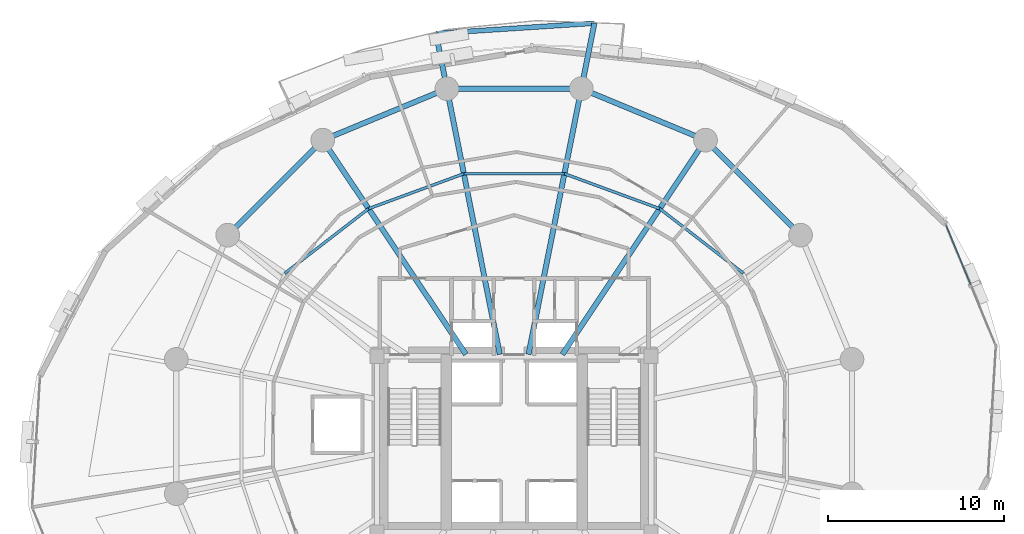
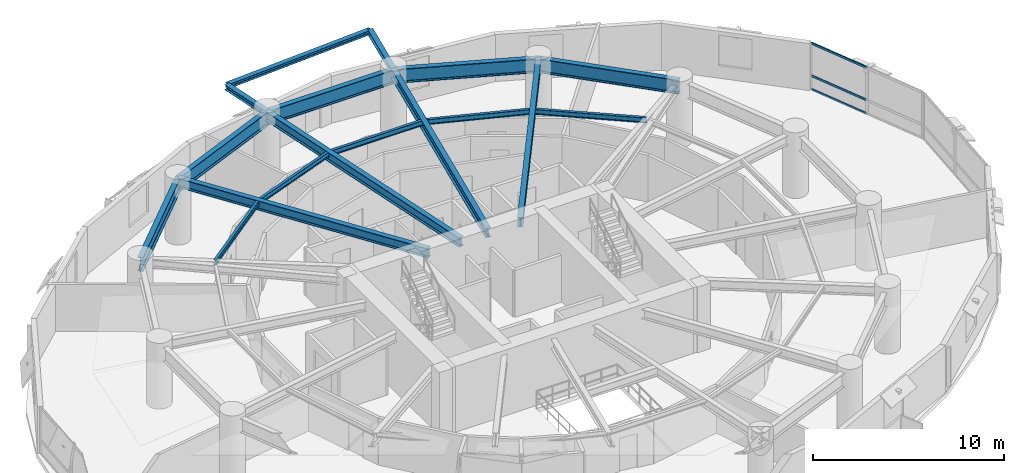
# One storey, part 9 of 17: 17 beams, 3 members, 1 element without a shape of its own.
"""IFC4 building model written with IfcOpenShell, lengths in metres."""

from ifc_helpers import new_model, si_unit, direction, frame, origin, origin_2d, place, context, subcontext, project, spatial, hollow_rectangle, i_section, extrude, material, layer, layer_set, material_profile, profile_set, type_object, element, aggregate, save


model = new_model("IFC4")

# Units and contexts
model_context = context("Model", 3, precision=1e-05, world=origin(), true_north=direction((0.0, 1.0)))
body_context = subcontext(model_context, "Body", "Model", "MODEL_VIEW")
ifc_project = project(units=[si_unit("LENGTHUNIT", "METRE"), si_unit("AREAUNIT", "SQUARE_METRE"), si_unit("VOLUMEUNIT", "CUBIC_METRE"), si_unit("PLANEANGLEUNIT", "RADIAN"), si_unit("MASSUNIT", "GRAM", prefix="KILO"), si_unit("THERMODYNAMICTEMPERATUREUNIT", "KELVIN"), si_unit("POWERUNIT", "WATT")], contexts=[model_context])

# Site, building, storey
site_placement = place(None, origin())
site = spatial("IfcSite", under=ifc_project, at=site_placement, CompositionType="ELEMENT")
building_placement = place(site_placement, origin())
building = spatial("IfcBuilding", under=site, at=building_placement, Name="Ocrelia Relay Tower", CompositionType="ELEMENT")
storey_placement = place(building_placement, frame((0.0, 0.0, 72.0)))
storey = spatial("IfcBuildingStorey", under=building, at=storey_placement, Name="L16", CompositionType="ELEMENT", Elevation=72.0)

# Beams
ifc_material_1 = material(Name="Steel S355", Category="steel")
ifc_material_profile_1 = material_profile(ifc_material_1, i_section(OverallWidth=0.280029296875, OverallDepth=0.27001953125, WebThickness=0.008056640625, FlangeThickness=0.012939453125, FilletRadius=0.02392578125, at=origin_2d()), Name="HEA 280")
ifc_profile_set_1 = profile_set([ifc_material_profile_1], Name="Steel S355")
beam_type_1 = type_object("IfcBeamType", Name="BM-HEA280", PredefinedType="BEAM", material=ifc_profile_set_1)
beam_1_placement = place(storey_placement, frame((38.5654296875, 48.951416015625, 3.784912109375), z_axis=(-0.997895910722, -0.064836342925, 0.0), x_axis=(0.064836342925, -0.997895910722, 0.0)))
element("IfcBeam", 1, at=beam_1_placement, inside=storey, type_object=beam_type_1, Name="L17 Balcony Edge Trimmer Beam B1", PredefinedType="BEAM", context=body_context, shape_type="SweptSolid", body=[
    extrude(i_section(OverallWidth=0.280029296875, OverallDepth=0.27001953125, WebThickness=0.008056640625, FlangeThickness=0.012939453125, FilletRadius=0.02392578125, at=origin_2d()), origin(), (0.0, 0.0, 1.0), 9.033447265625),
])
ifc_material_profile_2 = material_profile(ifc_material_1, i_section(OverallWidth=0.300048828125, OverallDepth=0.330078125, WebThickness=0.009521484375, FlangeThickness=0.0166015625, FilletRadius=0.027099609375, at=origin_2d()), Name="HEA 340")
ifc_profile_set_2 = profile_set([ifc_material_profile_2], Name="Steel S355")
beam_type_2 = type_object("IfcBeamType", Name="BM-HEA340", PredefinedType="BEAM", material=ifc_profile_set_2)
beam_2_placement = place(storey_placement, frame((37.82373046875, 45.223388671875, 3.7548828125), z_axis=(0.195127896118, 0.980777805701, 0.0), x_axis=(-0.980777805701, 0.195127896118, 0.0)))
element("IfcBeam", 2, at=beam_2_placement, inside=storey, type_object=beam_type_2, Name="L17 Balcony Cantilever Beam B1-1", PredefinedType="BEAM", context=body_context, shape_type="SweptSolid", body=[
    extrude(i_section(OverallWidth=0.300048828125, OverallDepth=0.330078125, WebThickness=0.009521484375, FlangeThickness=0.0166015625, FilletRadius=0.027099609375, at=origin_2d()), origin(), (0.0, 0.0, 1.0), 3.801025390625),
])
beam_3_placement = place(storey_placement, frame((30.17626953125, 45.223388671875, 3.7548828125), z_axis=(-0.195148882518, 0.980773630178, 0.0), x_axis=(-0.980773630178, -0.195148882518, 0.0)))
element("IfcBeam", 3, at=beam_3_placement, inside=storey, type_object=beam_type_2, Name="L17 Balcony Cantilever Beam B1-2", PredefinedType="BEAM", context=body_context, shape_type="SweptSolid", body=[
    extrude(i_section(OverallWidth=0.300048828125, OverallDepth=0.330078125, WebThickness=0.009521484375, FlangeThickness=0.0166015625, FilletRadius=0.027099609375, at=origin_2d()), origin(), (0.0, 0.0, 1.0), 3.203857421875),
])
ifc_material_profile_3 = material_profile(ifc_material_1, i_section(OverallWidth=0.300048828125, OverallDepth=0.60009765625, WebThickness=0.015380859375, FlangeThickness=0.030029296875, FilletRadius=0.027099609375, at=origin_2d()), Name="HEB 600")
ifc_profile_set_3 = profile_set([ifc_material_profile_3], Name="Steel S355")
beam_type_3 = type_object("IfcBeamType", Name="BM-HEB600", PredefinedType="BEAM", material=ifc_profile_set_3)
beam_4_placement = place(storey_placement, frame((44.88916015625, 42.296875, 3.6201171875), z_axis=(-0.555564422059, -0.831473495033, 0.0), x_axis=(0.831473495033, -0.555564422059, 0.0)))
element("IfcBeam", 4, at=beam_4_placement, inside=storey, type_object=beam_type_3, Name="L16 Radial Floor Girder R03", PredefinedType="BEAM", context=body_context, shape_type="SweptSolid", body=[
    extrude(i_section(OverallWidth=0.300048828125, OverallDepth=0.60009765625, WebThickness=0.015380859375, FlangeThickness=0.030029296875, FilletRadius=0.027099609375, at=origin_2d()), origin(), (0.0, 0.0, 1.0), 14.6630859375),
])
for number, where, z_axis, x_axis, name in (
    (5, (37.82373046875, 45.223388671875, 3.6201171875), (-0.19509567956, -0.980784214706, 0.0), (0.980784214706, -0.19509567956, 0.0), "L16 Radial Floor Girder R04"),
    (6, (30.17626953125, 45.223388671875, 3.6201171875), (0.19509567956, -0.980784214706, 0.0), (0.980784214706, 0.19509567956, 0.0), "L16 Radial Floor Girder R05"),
):
    element("IfcBeam", number, at=place(storey_placement, frame(where, z_axis=z_axis, x_axis=x_axis)), inside=storey, type_object=beam_type_3, Name=name, PredefinedType="BEAM", context=body_context, shape_type="SweptSolid", body=[
        extrude(i_section(OverallWidth=0.300048828125, OverallDepth=0.60009765625, WebThickness=0.015380859375, FlangeThickness=0.030029296875, FilletRadius=0.027099609375, at=origin_2d()), origin(), (0.0, 0.0, 1.0), 15.41455078125),
    ])
beam_5_placement = place(storey_placement, frame((23.11083984375, 42.296875, 3.6201171875), z_axis=(0.555564422059, -0.831473495033, 0.0), x_axis=(0.831473495033, 0.555564422059, 0.0)))
element("IfcBeam", 7, at=beam_5_placement, inside=storey, type_object=beam_type_3, Name="L16 Radial Floor Girder R06", PredefinedType="BEAM", context=body_context, shape_type="SweptSolid", body=[
    extrude(i_section(OverallWidth=0.300048828125, OverallDepth=0.60009765625, WebThickness=0.015380859375, FlangeThickness=0.030029296875, FilletRadius=0.027099609375, at=origin_2d()), origin(), (0.0, 0.0, 1.0), 14.6630859375),
])
ifc_material_profile_4 = material_profile(ifc_material_1, i_section(OverallWidth=0.300048828125, OverallDepth=0.89990234375, WebThickness=0.0185546875, FlangeThickness=0.034912109375, FilletRadius=0.030029296875, at=origin_2d()), Name="HEB 900")
ifc_profile_set_4 = profile_set([ifc_material_profile_4], Name="Steel S355")
beam_type_4 = type_object("IfcBeamType", Name="BM-HEB900", PredefinedType="BEAM", material=ifc_profile_set_4)
beam_6_placement = place(storey_placement, frame((50.296875, 36.88916015625, 3.469970703125), z_axis=(-0.707106781187, 0.707106781187, 0.0), x_axis=(-0.707106781187, -0.707106781187, 0.0)))
element("IfcBeam", 8, at=beam_6_placement, inside=storey, type_object=beam_type_4, Name="L16 Perimeter Spandrel Beam S02", PredefinedType="BEAM", context=body_context, shape_type="SweptSolid", body=[
    extrude(i_section(OverallWidth=0.300048828125, OverallDepth=0.89990234375, WebThickness=0.0185546875, FlangeThickness=0.034912109375, FilletRadius=0.030029296875, at=origin_2d()), origin(), (0.0, 0.0, 1.0), 7.647705078125),
])
for number, where, z_axis, x_axis, name in (
    (9, (44.88916015625, 42.296875, 3.469970703125), (-0.923883375589, 0.382674154222, 0.0), (-0.382674154222, -0.923883375589, 0.0), "L16 Perimeter Spandrel Beam S03"),
    (10, (37.82373046875, 45.223388671875, 3.469970703125), (-1.0, 0.0, 0.0), (0.0, -1.0, 0.0), "L16 Perimeter Spandrel Beam S04"),
    (11, (30.17626953125, 45.223388671875, 3.469970703125), (-0.923883375589, -0.382674154222, 0.0), (0.382674154222, -0.923883375589, 0.0), "L16 Perimeter Spandrel Beam S05"),
):
    element("IfcBeam", number, at=place(storey_placement, frame(where, z_axis=z_axis, x_axis=x_axis)), inside=storey, type_object=beam_type_4, Name=name, PredefinedType="BEAM", context=body_context, shape_type="SweptSolid", body=[
        extrude(i_section(OverallWidth=0.300048828125, OverallDepth=0.89990234375, WebThickness=0.0185546875, FlangeThickness=0.034912109375, FilletRadius=0.030029296875, at=origin_2d()), origin(), (0.0, 0.0, 1.0), 7.6474609375),
    ])
beam_7_placement = place(storey_placement, frame((23.11083984375, 42.296875, 3.469970703125), z_axis=(-0.707106781187, -0.707106781187, 0.0), x_axis=(0.707106781187, -0.707106781187, 0.0)))
element("IfcBeam", 12, at=beam_7_placement, inside=storey, type_object=beam_type_4, Name="L16 Perimeter Spandrel Beam S06", PredefinedType="BEAM", context=body_context, shape_type="SweptSolid", body=[
    extrude(i_section(OverallWidth=0.300048828125, OverallDepth=0.89990234375, WebThickness=0.0185546875, FlangeThickness=0.034912109375, FilletRadius=0.030029296875, at=origin_2d()), origin(), (0.0, 0.0, 1.0), 7.647705078125),
])
ifc_material_profile_5 = material_profile(ifc_material_1, i_section(OverallWidth=0.159912109375, OverallDepth=0.330078125, WebThickness=0.007568359375, FlangeThickness=0.011474609375, FilletRadius=0.01806640625, at=origin_2d()), Name="IPE 330")
ifc_profile_set_5 = profile_set([ifc_material_profile_5], Name="Steel S355")
beam_type_5 = type_object("IfcBeamType", Name="BM-IPE330", PredefinedType="JOIST", material=ifc_profile_set_5)
beam_8_placement = place(storey_placement, frame((47.0478515625, 34.71826171875, 3.7548828125), z_axis=(-0.791694256239, 0.610917510502, 0.0), x_axis=(-0.610917510502, -0.791694256239, 0.0)))
element("IfcBeam", 13, at=beam_8_placement, inside=storey, type_object=beam_type_5, Name="L16 Secondary Floor Joist J02", PredefinedType="JOIST", context=body_context, shape_type="SweptSolid", body=[
    extrude(i_section(OverallWidth=0.159912109375, OverallDepth=0.330078125, WebThickness=0.007568359375, FlangeThickness=0.011474609375, FilletRadius=0.01806640625, at=origin_2d()), origin(), (0.0, 0.0, 1.0), 6.019287109375),
])
beam_9_placement = place(storey_placement, frame((42.282470703125, 38.3955078125, 3.7548828125), z_axis=(-0.938745977034, 0.344609910773, 0.0), x_axis=(-0.344609910773, -0.938745977034, 0.0)))
element("IfcBeam", 14, at=beam_9_placement, inside=storey, type_object=beam_type_5, Name="L16 Secondary Floor Joist J03", PredefinedType="JOIST", context=body_context, shape_type="SweptSolid", body=[
    extrude(i_section(OverallWidth=0.159912109375, OverallDepth=0.330078125, WebThickness=0.007568359375, FlangeThickness=0.011474609375, FilletRadius=0.01806640625, at=origin_2d()), origin(), (0.0, 0.0, 1.0), 5.774658203125),
])
beam_10_placement = place(storey_placement, frame((36.861572265625, 40.385498046875, 3.7548828125), z_axis=(-1.0, 0.0, 0.0), x_axis=(0.0, -1.0, 0.0)))
element("IfcBeam", 15, at=beam_10_placement, inside=storey, type_object=beam_type_5, Name="L16 Secondary Floor Joist J04", PredefinedType="JOIST", context=body_context, shape_type="SweptSolid", body=[
    extrude(i_section(OverallWidth=0.159912109375, OverallDepth=0.330078125, WebThickness=0.007568359375, FlangeThickness=0.011474609375, FilletRadius=0.01806640625, at=origin_2d()), origin(), (0.0, 0.0, 1.0), 5.72314453125),
])
beam_11_placement = place(storey_placement, frame((31.138427734375, 40.385498046875, 3.7548828125), z_axis=(-0.938745977034, -0.344609910773, 0.0), x_axis=(0.344609910773, -0.938745977034, 0.0)))
element("IfcBeam", 16, at=beam_11_placement, inside=storey, type_object=beam_type_5, Name="L16 Secondary Floor Joist J05", PredefinedType="JOIST", context=body_context, shape_type="SweptSolid", body=[
    extrude(i_section(OverallWidth=0.159912109375, OverallDepth=0.330078125, WebThickness=0.007568359375, FlangeThickness=0.011474609375, FilletRadius=0.01806640625, at=origin_2d()), origin(), (0.0, 0.0, 1.0), 5.774658203125),
])
beam_12_placement = place(storey_placement, frame((25.717529296875, 38.3955078125, 3.7548828125), z_axis=(-0.791694256239, -0.610917510502, 0.0), x_axis=(0.610917510502, -0.791694256239, 0.0)))
element("IfcBeam", 17, at=beam_12_placement, inside=storey, type_object=beam_type_5, Name="L16 Secondary Floor Joist J06", PredefinedType="JOIST", context=body_context, shape_type="SweptSolid", body=[
    extrude(i_section(OverallWidth=0.159912109375, OverallDepth=0.330078125, WebThickness=0.007568359375, FlangeThickness=0.011474609375, FilletRadius=0.01806640625, at=origin_2d()), origin(), (0.0, 0.0, 1.0), 6.019287109375),
])

# Curtain wall, members
ifc_material_2 = material(Name="Aluminium and solar-control low-E glass", Category="aluminium")
ifc_layer = layer(ifc_material_2, 0.179931640625, Name="Aluminium and solar-control low-E glass")
ifc_layer_set = layer_set([ifc_layer], Name="Aluminium and solar-control low-E glass")
curtain_wall_type = type_object("IfcCurtainWallType", Name="CW-SYS-Z1-DATA", PredefinedType="NOTDEFINED", material=ifc_layer_set)
curtain_wall_placement = place(storey_placement, origin())
curtain_wall = element("IfcCurtainWall", 18, at=curtain_wall_placement, inside=storey, type_object=curtain_wall_type, Name="L16 Elliptical Tower Curtain Wall Bay 01", PredefinedType="NOTDEFINED")
ifc_material_3 = material(Name="Anodised bronze aluminium", Category="aluminium")
ifc_material_profile_6 = material_profile(ifc_material_3, hollow_rectangle(XDim=0.06494140625, YDim=0.139892578125, WallThickness=0.0048828125, at=origin_2d()), Name="CW-TRN-140x65")
ifc_profile_set_6 = profile_set([ifc_material_profile_6], Name="Anodised bronze aluminium")
member_type = type_object("IfcMemberType", Name="CW-SYS-Z1-DATA-TRN", PredefinedType="USERDEFINED", material=ifc_profile_set_6)
member_1_placement = place(storey_placement, frame((59.977294921875, 34.074951171875, 0.032470703125), z_axis=(-0.382003518295, 0.924160869119, 0.0), x_axis=(-0.924160869119, -0.382003518295, 0.0)))
member_1 = element("IfcMember", 19, at=member_1_placement, type_object=member_type, Name="CW-Z1 transom 2.1", ObjectType="TRANSOM", PredefinedType="USERDEFINED", context=body_context, shape_type="SweptSolid", body=[
    extrude(hollow_rectangle(XDim=0.06494140625, YDim=0.139892578125, WallThickness=0.0048828125, at=origin_2d()), origin(), (0.0, 0.0, 1.0), 3.632568359375),
])
member_2_placement = place(storey_placement, frame((59.977294921875, 34.074951171875, 0.89990234375), z_axis=(-0.382003518295, 0.924160869119, 0.0), x_axis=(-0.924160869119, -0.382003518295, 0.0)))
member_2 = element("IfcMember", 20, at=member_2_placement, type_object=member_type, Name="CW-Z1 transom 2.2", ObjectType="TRANSOM", PredefinedType="USERDEFINED", context=body_context, shape_type="SweptSolid", body=[
    extrude(hollow_rectangle(XDim=0.06494140625, YDim=0.139892578125, WallThickness=0.0048828125, at=origin_2d()), origin(), (0.0, 0.0, 1.0), 3.632568359375),
])
member_3_placement = place(storey_placement, frame((59.977294921875, 34.074951171875, 2.967529296875), z_axis=(-0.382003518295, 0.924160869119, 0.0), x_axis=(-0.924160869119, -0.382003518295, 0.0)))
member_3 = element("IfcMember", 21, at=member_3_placement, type_object=member_type, Name="CW-Z1 transom 2.3", ObjectType="TRANSOM", PredefinedType="USERDEFINED", context=body_context, shape_type="SweptSolid", body=[
    extrude(hollow_rectangle(XDim=0.06494140625, YDim=0.139892578125, WallThickness=0.0048828125, at=origin_2d()), origin(), (0.0, 0.0, 1.0), 3.632568359375),
])
aggregate(curtain_wall, [member_1, member_2, member_3])

save(model, "model.ifc")
